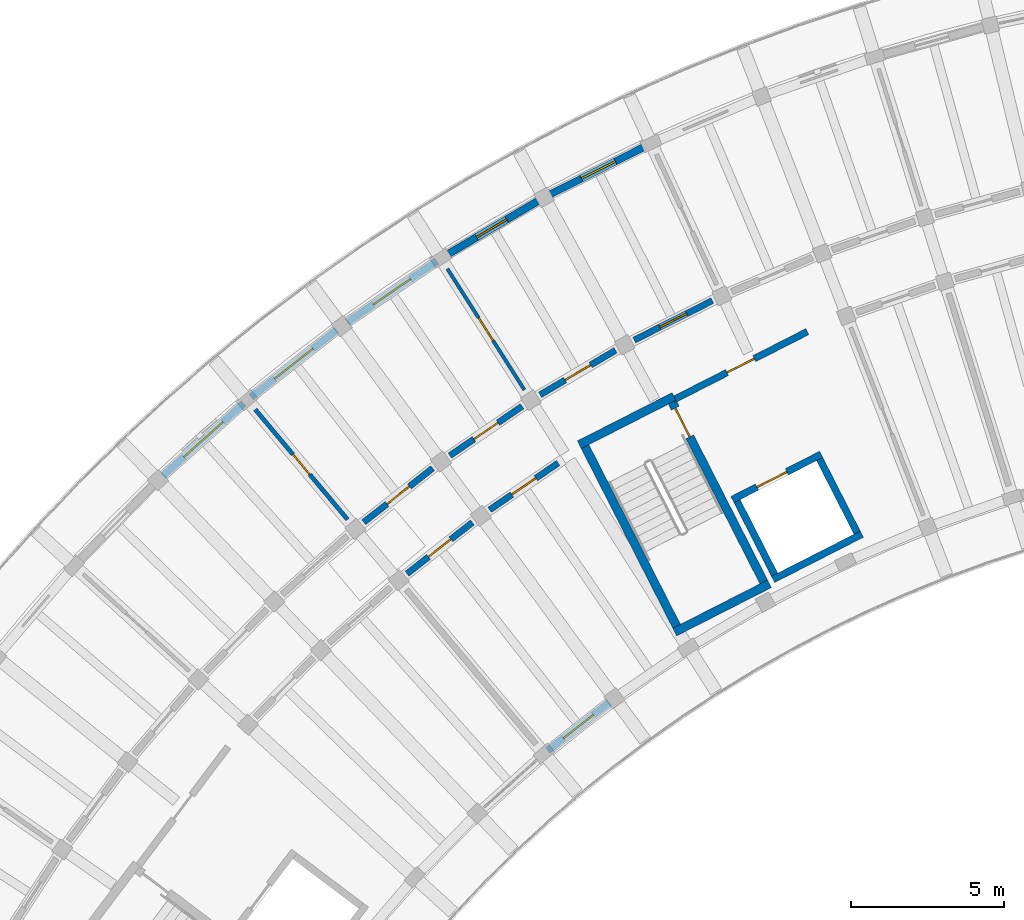
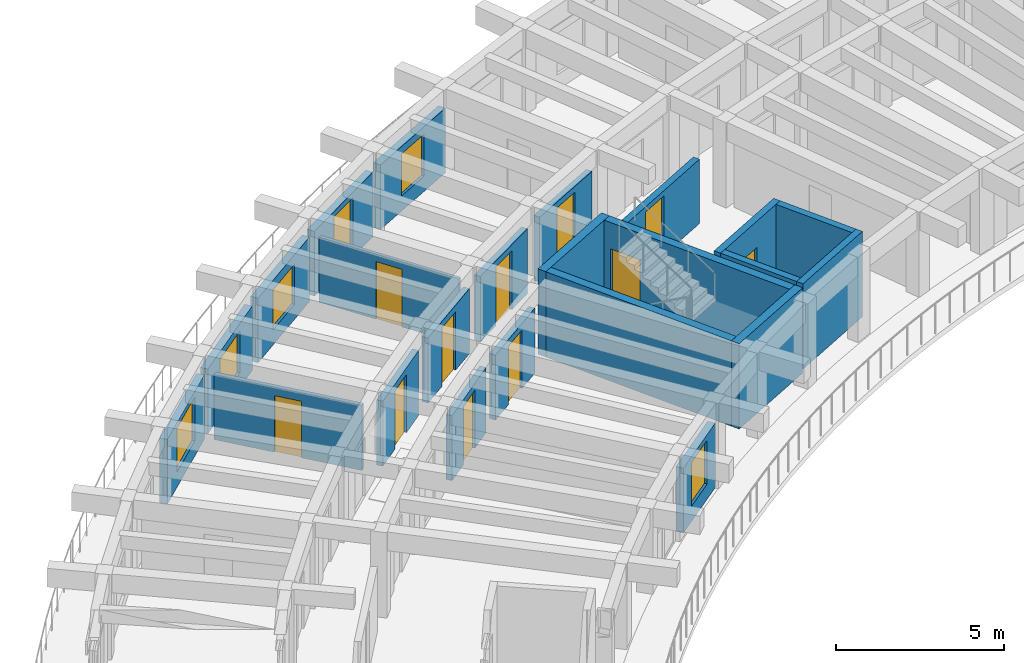
# One storey, part 48 of 83: 23 walls, 12 doors, 5 windows, 17 openings.
"""IFC4 building model written with IfcOpenShell, lengths in metres."""

from ifc_helpers import new_model, si_unit, direction, frame, frame_2d, origin, place, context, subcontext, project, spatial, rectangle, extrude, material, layer, layer_set, type_object, element, fill, save


model = new_model("IFC4")

# Units and contexts
model_context = context("Model", 3, precision=1e-05, world=origin(), true_north=direction((0.0, 1.0)))
body_context = subcontext(model_context, "Body", "Model", "MODEL_VIEW")
ifc_project = project(units=[si_unit("LENGTHUNIT", "METRE"), si_unit("AREAUNIT", "SQUARE_METRE"), si_unit("VOLUMEUNIT", "CUBIC_METRE"), si_unit("PLANEANGLEUNIT", "RADIAN"), si_unit("MASSUNIT", "GRAM", prefix="KILO")], contexts=[model_context])

# Site, building, storey
site_placement = place(None, origin())
site = spatial("IfcSite", under=ifc_project, at=site_placement, CompositionType="ELEMENT")
building_placement = place(site_placement, origin())
building = spatial("IfcBuilding", under=site, at=building_placement, Name="Tanwirah Colonnade Gardens", CompositionType="ELEMENT")
storey_placement = place(building_placement, frame((0.0, 0.0, 25.639892578125)))
storey = spatial("IfcBuildingStorey", under=building, at=storey_placement, Name="L07", CompositionType="ELEMENT", Elevation=25.639892578125)

# Wall, opening, window
ifc_material_1 = material(Name="Limestone architectural precast concrete C40/50", Category="masonry")
ifc_layer_1 = layer(ifc_material_1, 0.2451171875)
ifc_layer_set_1 = layer_set([ifc_layer_1], Name="Limestone architectural precast concrete C40/50")
wall_type_1 = type_object("IfcWallType", Name="EW-PC245", PredefinedType="SOLIDWALL", material=ifc_layer_set_1)
wall_1_placement = place(storey_placement, frame((39.794921875, 114.147216796875, 0.0), z_axis=(0.0, 0.0, 1.0), x_axis=(-0.892768574661, -0.450515562549, 0.0)))
wall_1 = element("IfcWall", 1, at=wall_1_placement, inside=storey, type_object=wall_type_1, Name="Block A L07 OUT Precast Facade Wall 5", PredefinedType="SOLIDWALL", context=body_context, shape_type="SweptSolid", body=[
    extrude(rectangle(XDim=3.545654296875, YDim=0.2451171875, at=frame_2d((1.77294921875, 0.0))), origin(), (0.0, 0.0, 1.0), 2.355224609375),
])
opening_1_placement = place(wall_1_placement, frame((1.15283203125, 0.0, 0.550048828125)))
opening_1 = element("IfcOpeningElement", 2, at=opening_1_placement, cuts=wall_1, Name="Opening WIN-U03", PredefinedType="OPENING", context=body_context, shape_type="SweptSolid", body=[
    extrude(rectangle(XDim=1.239990234375, YDim=1.534912109375, at=frame_2d((0.6201171875, 0.767578125))), frame((0.0, 0.132568359375, 0.0), z_axis=(0.0, -1.0, 0.0), x_axis=(1.0, 0.0, 0.0)), (0.0, 0.0, 1.0), 0.26513671875),
])
ifc_material_2 = material(Name="Thermally broken bronze aluminium and solar low-E double glazing", Category="aluminium")
window_type_1 = type_object("IfcWindowType", Name="WIN-U03", PartitioningType="DOUBLE_PANEL_VERTICAL", PredefinedType="WINDOW", material=ifc_material_2)
window_1_placement = place(opening_1_placement, origin())
window_1 = element("IfcWindow", 3, at=window_1_placement, inside=storey, type_object=window_type_1, Name="Facade window A-L07-OUT-05", OverallHeight=1.534912109375, OverallWidth=1.239990234375, PartitioningType="SINGLE_PANEL", PredefinedType="WINDOW", context=body_context, shape_type="SweptSolid", body=[
    extrude(rectangle(XDim=1.239990234375, YDim=1.534912109375, at=frame_2d((0.6201171875, 0.767578125))), frame((0.0, 0.030029296875, 0.0), z_axis=(0.0, -1.0, 0.0), x_axis=(1.0, 0.0, 0.0)), (0.0, 0.0, 1.0), 0.06005859375),
])
fill(opening_1, window_1)

# Wall, opening, door
wall_2_placement = place(storey_placement, frame((36.24365234375, 112.3388671875, 0.0), z_axis=(0.0, 0.0, 1.0), x_axis=(-0.861152616304, -0.50834650725, 0.0)))
wall_2 = element("IfcWall", 4, at=wall_2_placement, inside=storey, type_object=wall_type_1, Name="Block A L07 OUT Precast Facade Wall 6", PredefinedType="SOLIDWALL", context=body_context, shape_type="SweptSolid", body=[
    extrude(rectangle(XDim=3.5458984375, YDim=0.2451171875, at=frame_2d((1.77294921875, 0.0))), origin(), (0.0, 0.0, 1.0), 2.355224609375),
])
opening_2_placement = place(wall_2_placement, frame((1.202880859375, 0.0, 0.0)))
opening_2 = element("IfcOpeningElement", 5, at=opening_2_placement, cuts=wall_2, Name="Opening L07-ED033", PredefinedType="OPENING", context=body_context, shape_type="SweptSolid", body=[
    extrude(rectangle(XDim=1.139892578125, YDim=2.159912109375, at=frame_2d((0.56982421875, 1.080078125))), frame((0.0, 0.132568359375, 0.0), z_axis=(0.0, -1.0, 0.0), x_axis=(1.0, 0.0, 0.0)), (0.0, 0.0, 1.0), 0.26513671875),
])
ifc_material_3 = material(Name="Bronze aluminium glazed balcony door", Category="aluminium")
door_type_1 = type_object("IfcDoorType", Name="ED-BAL114", OperationType="NOTDEFINED", PredefinedType="DOOR", material=ifc_material_3)
door_1_placement = place(opening_2_placement, origin())
door_1 = element("IfcDoor", 6, at=door_1_placement, inside=storey, type_object=door_type_1, Name="Balcony glazed door L07-ED033", OperationType="SINGLE_SWING_RIGHT", OverallHeight=2.159912109375, OverallWidth=1.139892578125, PredefinedType="DOOR", context=body_context, shape_type="SweptSolid", body=[
    extrude(rectangle(XDim=1.139892578125, YDim=2.159912109375, at=frame_2d((0.56982421875, 1.080078125))), frame((0.0, 0.02490234375, 0.0), z_axis=(0.0, -1.0, 0.0), x_axis=(1.0, 0.0, 0.0)), (0.0, 0.0, 1.0), 0.050048828125),
])
fill(opening_2, door_1)

# Wall, opening, window
wall_3_placement = place(storey_placement, frame((32.92041015625, 110.36474609375, 0.0), z_axis=(0.0, 0.0, 1.0), x_axis=(-0.825779863852, -0.563992567732, 0.0)))
wall_3 = element("IfcWall", 7, at=wall_3_placement, inside=storey, type_object=wall_type_1, Name="Block A L07 OUT Precast Facade Wall 7", PredefinedType="SOLIDWALL", context=body_context, shape_type="SweptSolid", body=[
    extrude(rectangle(XDim=3.545654296875, YDim=0.2451171875, at=frame_2d((1.77294921875, 0.0))), origin(), (0.0, 0.0, 1.0), 2.355224609375),
])
opening_3_placement = place(wall_3_placement, frame((1.03271484375, 0.0, 0.550048828125)))
opening_3 = element("IfcOpeningElement", 8, at=opening_3_placement, cuts=wall_3, Name="Opening WIN-U09", PredefinedType="OPENING", context=body_context, shape_type="SweptSolid", body=[
    extrude(rectangle(XDim=1.47998046875, YDim=1.4599609375, at=frame_2d((0.739990234375, 0.72998046875))), frame((0.0, 0.132568359375, 0.0), z_axis=(0.0, -1.0, 0.0), x_axis=(1.0, 0.0, 0.0)), (0.0, 0.0, 1.0), 0.26513671875),
])
window_type_2 = type_object("IfcWindowType", Name="WIN-U09", PartitioningType="DOUBLE_PANEL_VERTICAL", PredefinedType="WINDOW", material=ifc_material_2)
window_2_placement = place(opening_3_placement, origin())
window_2 = element("IfcWindow", 9, at=window_2_placement, inside=storey, type_object=window_type_2, Name="Facade window A-L07-OUT-07", OverallHeight=1.4599609375, OverallWidth=1.47998046875, PartitioningType="SINGLE_PANEL", PredefinedType="WINDOW", context=body_context, shape_type="SweptSolid", body=[
    extrude(rectangle(XDim=1.47998046875, YDim=1.4599609375, at=frame_2d((0.739990234375, 0.72998046875))), frame((0.0, 0.030029296875, 0.0), z_axis=(0.0, -1.0, 0.0), x_axis=(1.0, 0.0, 0.0)), (0.0, 0.0, 1.0), 0.06005859375),
])
fill(opening_3, window_2)

wall_4_placement = place(storey_placement, frame((29.6376953125, 108.10498046875, 0.0), z_axis=(0.0, 0.0, 1.0), x_axis=(-0.786831781174, -0.617167520317, 0.0)))
wall_4 = element("IfcWall", 10, at=wall_4_placement, inside=storey, type_object=wall_type_1, Name="Block A L07 OUT Precast Facade Wall 8", PredefinedType="SOLIDWALL", context=body_context, shape_type="SweptSolid", body=[
    extrude(rectangle(XDim=3.545654296875, YDim=0.2451171875, at=frame_2d((1.77294921875, 0.0))), origin(), (0.0, 0.0, 1.0), 2.355224609375),
])
opening_4_placement = place(wall_4_placement, frame((0.972900390625, 0.0, 0.550048828125)))
opening_4 = element("IfcOpeningElement", 11, at=opening_4_placement, cuts=wall_4, Name="Opening WIN-U12", PredefinedType="OPENING", context=body_context, shape_type="SweptSolid", body=[
    extrude(rectangle(XDim=1.60009765625, YDim=1.534912109375, at=frame_2d((0.800048828125, 0.767578125))), frame((0.0, 0.132568359375, 0.0), z_axis=(0.0, -1.0, 0.0), x_axis=(1.0, 0.0, 0.0)), (0.0, 0.0, 1.0), 0.26513671875),
])
window_type_3 = type_object("IfcWindowType", Name="WIN-U12", PartitioningType="DOUBLE_PANEL_VERTICAL", PredefinedType="WINDOW", material=ifc_material_2)
window_3_placement = place(opening_4_placement, origin())
window_3 = element("IfcWindow", 12, at=window_3_placement, inside=storey, type_object=window_type_3, Name="Facade window A-L07-OUT-08", OverallHeight=1.534912109375, OverallWidth=1.60009765625, PartitioningType="SINGLE_PANEL", PredefinedType="WINDOW", context=body_context, shape_type="SweptSolid", body=[
    extrude(rectangle(XDim=1.60009765625, YDim=1.534912109375, at=frame_2d((0.800048828125, 0.767578125))), frame((0.0, 0.030029296875, 0.0), z_axis=(0.0, -1.0, 0.0), x_axis=(1.0, 0.0, 0.0)), (0.0, 0.0, 1.0), 0.06005859375),
])
fill(opening_4, window_3)

wall_5_placement = place(storey_placement, frame((38.560546875, 95.92333984375, 0.0), z_axis=(0.0, 0.0, 1.0), x_axis=(-0.786819690147, -0.617182934953, 0.0)))
wall_5 = element("IfcWall", 13, at=wall_5_placement, inside=storey, type_object=wall_type_1, Name="Block A L07 IN Precast Facade Wall 8", PredefinedType="SOLIDWALL", context=body_context, shape_type="SweptSolid", body=[
    extrude(rectangle(XDim=2.55029296875, YDim=0.2451171875, at=frame_2d((1.275146484375, 0.0))), origin(), (0.0, 0.0, 1.0), 2.355224609375),
])
opening_5_placement = place(wall_5_placement, frame((0.650146484375, 0.0, 0.550048828125)))
opening_5 = element("IfcOpeningElement", 14, at=opening_5_placement, cuts=wall_5, Name="Opening WIN-T03", PredefinedType="OPENING", context=body_context, shape_type="SweptSolid", body=[
    extrude(rectangle(XDim=1.25, YDim=1.60009765625, at=frame_2d((0.625, 0.800048828125))), frame((0.0, 0.132568359375, 0.0), z_axis=(0.0, -1.0, 0.0), x_axis=(1.0, 0.0, 0.0)), (0.0, 0.0, 1.0), 0.26513671875),
])
window_type_4 = type_object("IfcWindowType", Name="WIN-T03", PartitioningType="SINGLE_PANEL", PredefinedType="WINDOW", material=ifc_material_2)
window_4_placement = place(opening_5_placement, origin())
window_4 = element("IfcWindow", 15, at=window_4_placement, inside=storey, type_object=window_type_4, Name="Facade window A-L07-IN-08", OverallHeight=1.60009765625, OverallWidth=1.25, PartitioningType="SINGLE_PANEL", PredefinedType="WINDOW", context=body_context, shape_type="SweptSolid", body=[
    extrude(rectangle(XDim=1.25, YDim=1.60009765625, at=frame_2d((0.625, 0.800048828125))), frame((0.0, 0.030029296875, 0.0), z_axis=(0.0, -1.0, 0.0), x_axis=(1.0, 0.0, 0.0)), (0.0, 0.0, 1.0), 0.06005859375),
])
fill(opening_5, window_4)

wall_6_placement = place(storey_placement, frame((26.602783203125, 105.711181640625, 0.0), z_axis=(0.0, 0.0, 1.0), x_axis=(-0.744419541982, -0.667712172658, 0.0)))
wall_6 = element("IfcWall", 16, at=wall_6_placement, inside=storey, type_object=wall_type_1, Name="Block A L07 OUT Precast Facade Wall 9", PredefinedType="SOLIDWALL", context=body_context, shape_type="SweptSolid", body=[
    extrude(rectangle(XDim=3.545654296875, YDim=0.2451171875, at=frame_2d((1.77294921875, 0.0))), origin(), (0.0, 0.0, 1.0), 2.355224609375),
])
opening_6_placement = place(wall_6_placement, frame((0.912841796875, 0.0, 0.550048828125)))
opening_6 = element("IfcOpeningElement", 17, at=opening_6_placement, cuts=wall_6, Name="Opening WIN-U15", PredefinedType="OPENING", context=body_context, shape_type="SweptSolid", body=[
    extrude(rectangle(XDim=1.719970703125, YDim=1.610107421875, at=frame_2d((0.85986328125, 0.80517578125))), frame((0.0, 0.132568359375, 0.0), z_axis=(0.0, -1.0, 0.0), x_axis=(1.0, 0.0, 0.0)), (0.0, 0.0, 1.0), 0.26513671875),
])
window_type_5 = type_object("IfcWindowType", Name="WIN-U15", PartitioningType="DOUBLE_PANEL_VERTICAL", PredefinedType="WINDOW", material=ifc_material_2)
window_5_placement = place(opening_6_placement, origin())
window_5 = element("IfcWindow", 18, at=window_5_placement, inside=storey, type_object=window_type_5, Name="Facade window A-L07-OUT-09", OverallHeight=1.610107421875, OverallWidth=1.719970703125, PartitioningType="SINGLE_PANEL", PredefinedType="WINDOW", context=body_context, shape_type="SweptSolid", body=[
    extrude(rectangle(XDim=1.719970703125, YDim=1.610107421875, at=frame_2d((0.85986328125, 0.80517578125))), frame((0.0, 0.030029296875, 0.0), z_axis=(0.0, -1.0, 0.0), x_axis=(1.0, 0.0, 0.0)), (0.0, 0.0, 1.0), 0.06005859375),
])
fill(opening_6, window_5)

# Wall, opening, door
ifc_material_4 = material(Name="Precast concrete C40/50", Category="concrete")
ifc_layer_2 = layer(ifc_material_4, 0.205078125)
ifc_layer_set_2 = layer_set([ifc_layer_2], Name="Precast concrete C40/50")
wall_type_2 = type_object("IfcWallType", Name="IW-CORR205", PredefinedType="PARTITIONING", material=ifc_layer_set_2)
wall_7_placement = place(storey_placement, frame((41.93994140625, 109.072509765625, 0.0), z_axis=(0.0, 0.0, 1.0), x_axis=(-0.89273239336, -0.450587254419, 0.0)))
wall_7 = element("IfcWall", 19, at=wall_7_placement, inside=storey, type_object=wall_type_2, Name="Block A L07 OUT Corridor Wall 5", PredefinedType="PARTITIONING", context=body_context, shape_type="SweptSolid", body=[
    extrude(rectangle(XDim=2.863037109375, YDim=0.205078125, at=frame_2d((1.431640625, 0.0))), origin(), (0.0, 0.0, 1.0), 2.3701171875),
])
opening_7_placement = place(wall_7_placement, frame((0.9365234375, 0.0, 0.0)))
opening_7 = element("IfcOpeningElement", 20, at=opening_7_placement, cuts=wall_7, Name="Opening L07-AD528", PredefinedType="OPENING", context=body_context, shape_type="SweptSolid", body=[
    extrude(rectangle(XDim=0.989990234375, YDim=2.159912109375, at=frame_2d((0.4951171875, 1.080078125))), frame((0.0, 0.112548828125, 0.0), z_axis=(0.0, -1.0, 0.0), x_axis=(1.0, 0.0, 0.0)), (0.0, 0.0, 1.0), 0.22509765625),
])
ifc_material_5 = material(Name="Solid oak fire-resisting apartment entrance door")
door_type_2 = type_object("IfcDoorType", Name="ID-FLT099", OperationType="NOTDEFINED", PredefinedType="DOOR", material=ifc_material_5)
door_2_placement = place(opening_7_placement, origin())
door_2 = element("IfcDoor", 21, at=door_2_placement, inside=storey, type_object=door_type_2, Name="Apartment corridor door L07-AD528", OperationType="SINGLE_SWING_LEFT", OverallHeight=2.159912109375, OverallWidth=0.989990234375, PredefinedType="DOOR", context=body_context, shape_type="SweptSolid", body=[
    extrude(rectangle(XDim=0.989990234375, YDim=2.159912109375, at=frame_2d((0.4951171875, 1.080078125))), frame((0.0, 0.02490234375, 0.0), z_axis=(0.0, -1.0, 0.0), x_axis=(1.0, 0.0, 0.0)), (0.0, 0.0, 1.0), 0.050048828125),
])
fill(opening_7, door_2)

wall_8_placement = place(storey_placement, frame((38.77001953125, 107.447021484375, 0.0), z_axis=(0.0, 0.0, 1.0), x_axis=(-0.861113214678, -0.508413248753, 0.0)))
wall_8 = element("IfcWall", 22, at=wall_8_placement, inside=storey, type_object=wall_type_2, Name="Block A L07 OUT Corridor Wall 6", PredefinedType="PARTITIONING", context=body_context, shape_type="SweptSolid", body=[
    extrude(rectangle(XDim=2.863037109375, YDim=0.205078125, at=frame_2d((1.431640625, 0.0))), origin(), (0.0, 0.0, 1.0), 2.3701171875),
])
opening_8_placement = place(wall_8_placement, frame((0.946533203125, 0.0, 0.0)))
opening_8 = element("IfcOpeningElement", 23, at=opening_8_placement, cuts=wall_8, Name="Opening L07-AD529", PredefinedType="OPENING", context=body_context, shape_type="SweptSolid", body=[
    extrude(rectangle(XDim=0.969970703125, YDim=2.14990234375, at=frame_2d((0.48486328125, 1.074951171875))), frame((0.0, 0.112548828125, 0.0), z_axis=(0.0, -1.0, 0.0), x_axis=(1.0, 0.0, 0.0)), (0.0, 0.0, 1.0), 0.22509765625),
])
door_type_3 = type_object("IfcDoorType", Name="ID-FLT097", OperationType="NOTDEFINED", PredefinedType="DOOR", material=ifc_material_5)
door_3_placement = place(opening_8_placement, origin())
door_3 = element("IfcDoor", 24, at=door_3_placement, inside=storey, type_object=door_type_3, Name="Apartment corridor door L07-AD529", OperationType="SINGLE_SWING_RIGHT", OverallHeight=2.14990234375, OverallWidth=0.969970703125, PredefinedType="DOOR", context=body_context, shape_type="SweptSolid", body=[
    extrude(rectangle(XDim=0.969970703125, YDim=2.14990234375, at=frame_2d((0.48486328125, 1.074951171875))), frame((0.0, 0.02490234375, 0.0), z_axis=(0.0, -1.0, 0.0), x_axis=(1.0, 0.0, 0.0)), (0.0, 0.0, 1.0), 0.050048828125),
])
fill(opening_8, door_3)

wall_9_placement = place(storey_placement, frame((35.714111328125, 105.615966796875, 0.0), z_axis=(0.0, 0.0, 1.0), x_axis=(-0.825779671787, -0.563992848947, 0.0)))
wall_9 = element("IfcWall", 25, at=wall_9_placement, inside=storey, type_object=wall_type_2, Name="Block A L07 OUT Corridor Wall 7", PredefinedType="PARTITIONING", context=body_context, shape_type="SweptSolid", body=[
    extrude(rectangle(XDim=2.863037109375, YDim=0.205078125, at=frame_2d((1.431640625, 0.0))), origin(), (0.0, 0.0, 1.0), 2.3701171875),
])
opening_9_placement = place(wall_9_placement, frame((0.95654296875, 0.0, 0.0)))
opening_9 = element("IfcOpeningElement", 26, at=opening_9_placement, cuts=wall_9, Name="Opening L07-AD531", PredefinedType="OPENING", context=body_context, shape_type="SweptSolid", body=[
    extrude(rectangle(XDim=0.949951171875, YDim=2.1298828125, at=frame_2d((0.47509765625, 1.06494140625))), frame((0.0, 0.112548828125, 0.0), z_axis=(0.0, -1.0, 0.0), x_axis=(1.0, 0.0, 0.0)), (0.0, 0.0, 1.0), 0.22509765625),
])
door_type_4 = type_object("IfcDoorType", Name="ID-FLT095", OperationType="NOTDEFINED", PredefinedType="DOOR", material=ifc_material_5)
door_4_placement = place(opening_9_placement, origin())
door_4 = element("IfcDoor", 27, at=door_4_placement, inside=storey, type_object=door_type_4, Name="Apartment corridor door L07-AD531", OperationType="SINGLE_SWING_LEFT", OverallHeight=2.1298828125, OverallWidth=0.949951171875, PredefinedType="DOOR", context=body_context, shape_type="SweptSolid", body=[
    extrude(rectangle(XDim=0.949951171875, YDim=2.1298828125, at=frame_2d((0.47509765625, 1.06494140625))), frame((0.0, 0.02490234375, 0.0), z_axis=(0.0, -1.0, 0.0), x_axis=(1.0, 0.0, 0.0)), (0.0, 0.0, 1.0), 0.050048828125),
])
fill(opening_9, door_4)

wall_10_placement = place(storey_placement, frame((36.89453125, 103.759521484375, 0.0), z_axis=(0.0, 0.0, 1.0), x_axis=(-0.825752009056, -0.56403334967, 0.0)))
wall_10 = element("IfcWall", 28, at=wall_10_placement, inside=storey, type_object=wall_type_2, Name="Block A L07 IN Corridor Wall 7", PredefinedType="PARTITIONING", context=body_context, shape_type="SweptSolid", body=[
    extrude(rectangle(XDim=2.71826171875, YDim=0.205078125, at=frame_2d((1.359130859375, 0.0))), origin(), (0.0, 0.0, 1.0), 2.3701171875),
])
opening_10_placement = place(wall_10_placement, frame((0.884033203125, 0.0, 0.0)))
opening_10 = element("IfcOpeningElement", 29, at=opening_10_placement, cuts=wall_10, Name="Opening L07-AD532", PredefinedType="OPENING", context=body_context, shape_type="SweptSolid", body=[
    extrude(rectangle(XDim=0.949951171875, YDim=2.1298828125, at=frame_2d((0.47509765625, 1.06494140625))), frame((0.0, 0.112548828125, 0.0), z_axis=(0.0, -1.0, 0.0), x_axis=(1.0, 0.0, 0.0)), (0.0, 0.0, 1.0), 0.22509765625),
])
door_5_placement = place(opening_10_placement, origin())
door_5 = element("IfcDoor", 30, at=door_5_placement, inside=storey, type_object=door_type_4, Name="Apartment corridor door L07-AD532", OperationType="SINGLE_SWING_RIGHT", OverallHeight=2.1298828125, OverallWidth=0.949951171875, PredefinedType="DOOR", context=body_context, shape_type="SweptSolid", body=[
    extrude(rectangle(XDim=0.949951171875, YDim=2.1298828125, at=frame_2d((0.47509765625, 1.06494140625))), frame((0.0, 0.02490234375, 0.0), z_axis=(0.0, -1.0, 0.0), x_axis=(1.0, 0.0, 0.0)), (0.0, 0.0, 1.0), 0.050048828125),
])
fill(opening_10, door_5)

wall_11_placement = place(storey_placement, frame((32.785400390625, 103.587890625, 0.0), z_axis=(0.0, 0.0, 1.0), x_axis=(-0.786806323554, -0.617199975061, 0.0)))
wall_11 = element("IfcWall", 31, at=wall_11_placement, inside=storey, type_object=wall_type_2, Name="Block A L07 OUT Corridor Wall 8", PredefinedType="PARTITIONING", context=body_context, shape_type="SweptSolid", body=[
    extrude(rectangle(XDim=2.863037109375, YDim=0.205078125, at=frame_2d((1.431640625, 0.0))), origin(), (0.0, 0.0, 1.0), 2.3701171875),
])
opening_11_placement = place(wall_11_placement, frame((0.966552734375, 0.0, 0.0)))
opening_11 = element("IfcOpeningElement", 32, at=opening_11_placement, cuts=wall_11, Name="Opening L07-AD533", PredefinedType="OPENING", context=body_context, shape_type="SweptSolid", body=[
    extrude(rectangle(XDim=0.929931640625, YDim=2.1201171875, at=frame_2d((0.46484375, 1.06005859375))), frame((0.0, 0.112548828125, 0.0), z_axis=(0.0, -1.0, 0.0), x_axis=(1.0, 0.0, 0.0)), (0.0, 0.0, 1.0), 0.22509765625),
])
door_type_5 = type_object("IfcDoorType", Name="ID-FLT093", OperationType="NOTDEFINED", PredefinedType="DOOR", material=ifc_material_5)
door_6_placement = place(opening_11_placement, origin())
door_6 = element("IfcDoor", 33, at=door_6_placement, inside=storey, type_object=door_type_5, Name="Apartment corridor door L07-AD533", OperationType="SINGLE_SWING_RIGHT", OverallHeight=2.1201171875, OverallWidth=0.929931640625, PredefinedType="DOOR", context=body_context, shape_type="SweptSolid", body=[
    extrude(rectangle(XDim=0.929931640625, YDim=2.1201171875, at=frame_2d((0.46484375, 1.06005859375))), frame((0.0, 0.02490234375, 0.0), z_axis=(0.0, -1.0, 0.0), x_axis=(1.0, 0.0, 0.0)), (0.0, 0.0, 1.0), 0.050048828125),
])
fill(opening_11, door_6)

wall_12_placement = place(storey_placement, frame((34.08544921875, 101.81298828125, 0.0), z_axis=(0.0, 0.0, 1.0), x_axis=(-0.786835457019, -0.617162833924, 0.0)))
wall_12 = element("IfcWall", 34, at=wall_12_placement, inside=storey, type_object=wall_type_2, Name="Block A L07 IN Corridor Wall 8", PredefinedType="PARTITIONING", context=body_context, shape_type="SweptSolid", body=[
    extrude(rectangle(XDim=2.718017578125, YDim=0.205078125, at=frame_2d((1.35888671875, 0.0))), origin(), (0.0, 0.0, 1.0), 2.3701171875),
])
opening_12_placement = place(wall_12_placement, frame((0.89404296875, 0.0, 0.0)))
opening_12 = element("IfcOpeningElement", 35, at=opening_12_placement, cuts=wall_12, Name="Opening L07-AD534", PredefinedType="OPENING", context=body_context, shape_type="SweptSolid", body=[
    extrude(rectangle(XDim=0.929931640625, YDim=2.1201171875, at=frame_2d((0.46484375, 1.06005859375))), frame((0.0, 0.112548828125, 0.0), z_axis=(0.0, -1.0, 0.0), x_axis=(1.0, 0.0, 0.0)), (0.0, 0.0, 1.0), 0.22509765625),
])
door_7_placement = place(opening_12_placement, origin())
door_7 = element("IfcDoor", 36, at=door_7_placement, inside=storey, type_object=door_type_5, Name="Apartment corridor door L07-AD534", OperationType="SINGLE_SWING_LEFT", OverallHeight=2.1201171875, OverallWidth=0.929931640625, PredefinedType="DOOR", context=body_context, shape_type="SweptSolid", body=[
    extrude(rectangle(XDim=0.929931640625, YDim=2.1201171875, at=frame_2d((0.46484375, 1.06005859375))), frame((0.0, 0.02490234375, 0.0), z_axis=(0.0, -1.0, 0.0), x_axis=(1.0, 0.0, 0.0)), (0.0, 0.0, 1.0), 0.050048828125),
])
fill(opening_12, door_7)

ifc_material_6 = material(Name="Autoclaved aerated masonry blockwork", Category="masonry")
ifc_layer_3 = layer(ifc_material_6, 0.219970703125)
ifc_layer_set_3 = layer_set([ifc_layer_3], Name="Autoclaved aerated masonry blockwork")
wall_type_3 = type_object("IfcWallType", Name="IW-FFL220", PredefinedType="PARTITIONING", material=ifc_layer_set_3)
wall_13_placement = place(storey_placement, frame((40.68212890625, 105.833740234375, 0.0), z_axis=(0.0, 0.0, 1.0), x_axis=(0.891003372311, 0.453996685595, 0.0)))
wall_13 = element("IfcWall", 37, at=wall_13_placement, inside=storey, type_object=wall_type_3, Name="CORE-A1 L07 Enclosed Lobby Fire Wall", PredefinedType="PARTITIONING", context=body_context, shape_type="SweptSolid", body=[
    extrude(rectangle(XDim=4.900146484375, YDim=0.219970703125, at=frame_2d((2.4501953125, 0.0))), origin(), (0.0, 0.0, 1.0), 2.340087890625),
])
opening_13_placement = place(wall_13_placement, frame((1.949951171875, 0.0, 0.0)))
opening_13 = element("IfcOpeningElement", 38, at=opening_13_placement, cuts=wall_13, Name="Opening L07-LD025", PredefinedType="OPENING", context=body_context, shape_type="SweptSolid", body=[
    extrude(rectangle(XDim=1.0, YDim=2.14990234375, at=frame_2d((0.5, 1.074951171875))), frame((0.0, 0.119873046875, 0.0), z_axis=(0.0, -1.0, 0.0), x_axis=(1.0, 0.0, 0.0)), (0.0, 0.0, 1.0), 0.239990234375),
])
ifc_material_7 = material(Name="Acoustic fire-resisting lobby door")
door_type_6 = type_object("IfcDoorType", Name="ID-FFL100", OperationType="NOTDEFINED", PredefinedType="DOOR", material=ifc_material_7)
door_8_placement = place(opening_13_placement, origin())
door_8 = element("IfcDoor", 39, at=door_8_placement, inside=storey, type_object=door_type_6, Name="CORE-A1 L07 Lobby Fire Door L07-LD025", OperationType="SINGLE_SWING_RIGHT", OverallHeight=2.14990234375, OverallWidth=1.0, PredefinedType="DOOR", context=body_context, shape_type="SweptSolid", body=[
    extrude(rectangle(XDim=1.0, YDim=2.14990234375, at=frame_2d((0.5, 1.074951171875))), frame((0.0, 0.02490234375, 0.0), z_axis=(0.0, -1.0, 0.0), x_axis=(1.0, 0.0, 0.0)), (0.0, 0.0, 1.0), 0.050048828125),
])
fill(opening_13, door_8)

ifc_material_8 = material(Name="Acoustic gypsum stud partition")
ifc_layer_4 = layer(ifc_material_8, 0.114990234375)
ifc_layer_set_4 = layer_set([ifc_layer_4], Name="Acoustic gypsum stud partition")
wall_type_4 = type_object("IfcWallType", Name="IW-INT115", PredefinedType="PARTITIONING", material=ifc_layer_set_4)
wall_14_placement = place(storey_placement, frame((35.78857421875, 106.151123046875, 0.0), z_axis=(0.0, 0.0, 1.0), x_axis=(-0.536492262982, 0.843905238614, 0.0)))
wall_14 = element("IfcWall", 40, at=wall_14_placement, inside=storey, type_object=wall_type_4, Name="Block A L07 Radial Partition 6", PredefinedType="PARTITIONING", context=body_context, shape_type="SweptSolid", body=[
    extrude(rectangle(XDim=4.699951171875, YDim=0.114990234375, at=frame_2d((2.35009765625, 0.0))), origin(), (0.0, 0.0, 1.0), 2.3701171875),
])
opening_14_placement = place(wall_14_placement, frame((1.905029296875, 0.0, 0.0)))
opening_14 = element("IfcOpeningElement", 41, at=opening_14_placement, cuts=wall_14, Name="Opening L07-RD530", PredefinedType="OPENING", context=body_context, shape_type="SweptSolid", body=[
    extrude(rectangle(XDim=0.889892578125, YDim=2.10009765625, at=frame_2d((0.44482421875, 1.050048828125))), frame((0.0, 0.0673828125, 0.0), z_axis=(0.0, -1.0, 0.0), x_axis=(1.0, 0.0, 0.0)), (0.0, 0.0, 1.0), 0.135009765625),
])
ifc_material_9 = material(Name="Painted hardwood bedroom door", Category="wood")
door_type_7 = type_object("IfcDoorType", Name="ID-RM089", OperationType="NOTDEFINED", PredefinedType="DOOR", material=ifc_material_9)
door_9_placement = place(opening_14_placement, origin())
door_9 = element("IfcDoor", 42, at=door_9_placement, inside=storey, type_object=door_type_7, Name="Internal apartment door L07-RD530", OperationType="SINGLE_SWING_RIGHT", OverallHeight=2.10009765625, OverallWidth=0.889892578125, PredefinedType="DOOR", context=body_context, shape_type="SweptSolid", body=[
    extrude(rectangle(XDim=0.889892578125, YDim=2.10009765625, at=frame_2d((0.44482421875, 1.050048828125))), frame((0.0, 0.02490234375, 0.0), z_axis=(0.0, -1.0, 0.0), x_axis=(1.0, 0.0, 0.0)), (0.0, 0.0, 1.0), 0.050048828125),
])
fill(opening_14, door_9)

ifc_material_10 = material(Name="Water-resistant acoustic plumbing partition")
ifc_layer_5 = layer(ifc_material_10, 0.139892578125)
ifc_layer_set_5 = layer_set([ifc_layer_5], Name="Water-resistant acoustic plumbing partition")
wall_type_5 = type_object("IfcWallType", Name="IW-WET140", PredefinedType="PLUMBINGWALL", material=ifc_layer_set_5)
wall_15_placement = place(storey_placement, frame((30.000244140625, 101.9111328125, 0.0), z_axis=(0.0, 0.0, 1.0), x_axis=(-0.642811926223, 0.766024038465, 0.0)))
wall_15 = element("IfcWall", 43, at=wall_15_placement, inside=storey, type_object=wall_type_5, Name="Block A L07 Radial Partition 8", PredefinedType="PLUMBINGWALL", context=body_context, shape_type="SweptSolid", body=[
    extrude(rectangle(XDim=4.699951171875, YDim=0.139892578125, at=frame_2d((2.35009765625, 0.0))), origin(), (0.0, 0.0, 1.0), 2.3701171875),
])
opening_15_placement = place(wall_15_placement, frame((1.919921875, 0.0, 0.0)))
opening_15 = element("IfcOpeningElement", 44, at=opening_15_placement, cuts=wall_15, Name="Opening L07-RD535", PredefinedType="OPENING", context=body_context, shape_type="SweptSolid", body=[
    extrude(rectangle(XDim=0.860107421875, YDim=2.06005859375, at=frame_2d((0.43017578125, 1.030029296875))), frame((0.0, 0.079833984375, 0.0), z_axis=(0.0, -1.0, 0.0), x_axis=(1.0, 0.0, 0.0)), (0.0, 0.0, 1.0), 0.159912109375),
])
ifc_material_11 = material(Name="Moisture-resistant bathroom door")
door_type_8 = type_object("IfcDoorType", Name="ID-WET086", OperationType="NOTDEFINED", PredefinedType="DOOR", material=ifc_material_11)
door_10_placement = place(opening_15_placement, origin())
door_10 = element("IfcDoor", 45, at=door_10_placement, inside=storey, type_object=door_type_8, Name="Internal apartment door L07-RD535", OperationType="SINGLE_SWING_RIGHT", OverallHeight=2.06005859375, OverallWidth=0.860107421875, PredefinedType="DOOR", context=body_context, shape_type="SweptSolid", body=[
    extrude(rectangle(XDim=0.860107421875, YDim=2.06005859375, at=frame_2d((0.43017578125, 1.030029296875))), frame((0.0, 0.02490234375, 0.0), z_axis=(0.0, -1.0, 0.0), x_axis=(1.0, 0.0, 0.0)), (0.0, 0.0, 1.0), 0.050048828125),
])
fill(opening_15, door_10)

# Walls
ifc_material_12 = material(Name="Concrete C45/55", Category="concrete")
ifc_layer_6 = layer(ifc_material_12, 0.280029296875)
ifc_layer_set_6 = layer_set([ifc_layer_6], Name="Concrete C45/55")
wall_type_6 = type_object("IfcWallType", Name="SW-CORE280", PredefinedType="SHEAR", material=ifc_layer_set_6)
wall_16_placement = place(storey_placement, frame((37.7734375, 104.295654296875, 0.0), z_axis=(0.0, 0.0, 1.0), x_axis=(0.453992276384, -0.891005618941, 0.0)))
element("IfcWall", 46, at=wall_16_placement, inside=storey, type_object=wall_type_6, Name="CORE-A1 L07 Stair Shaft Shear Wall LEFT", PredefinedType="SHEAR", context=body_context, shape_type="SweptSolid", body=[
    extrude(rectangle(XDim=6.599853515625, YDim=0.280029296875, at=frame_2d((3.2998046875, 0.0))), origin(), (0.0, 0.0, 1.0), 3.110107421875),
])
for number, where, z_axis, x_axis, name in (
    (47, (40.708740234375, 98.2265625, 0.0), (0.0, 0.0, 1.0), (0.891005763861, 0.453991991964, 0.0), "CORE-A1 L07 Stair Shaft Shear Wall FAR"),
    (48, (37.585205078125, 104.356689453125, 0.0), (0.0, 0.0, 1.0), (0.891020222667, 0.453963613958, 0.0), "CORE-A1 L07 Stair Shaft Shear Wall NEAR"),
):
    element("IfcWall", number, at=place(storey_placement, frame(where, z_axis=z_axis, x_axis=x_axis)), inside=storey, type_object=wall_type_6, Name=name, PredefinedType="SHEAR", context=body_context, shape_type="SweptSolid", body=[
        extrude(rectangle(XDim=3.47998046875, YDim=0.280029296875, at=frame_2d((1.739990234375, 0.0))), origin(), (0.0, 0.0, 1.0), 3.110107421875),
    ])

# Wall, opening, door
wall_17_placement = place(storey_placement, frame((40.624755859375, 105.748291015625, 0.0), z_axis=(0.0, 0.0, 1.0), x_axis=(0.453992276384, -0.891005618941, 0.0)))
wall_17 = element("IfcWall", 49, at=wall_17_placement, inside=storey, type_object=wall_type_6, Name="CORE-A1 L07 Stair Shaft Shear Wall RIGHT", PredefinedType="SHEAR", context=body_context, shape_type="SweptSolid", body=[
    extrude(rectangle(XDim=6.599853515625, YDim=0.280029296875, at=frame_2d((3.2998046875, 0.0))), origin(), (0.0, 0.0, 1.0), 3.110107421875),
])
opening_16_placement = place(wall_17_placement, frame((0.219970703125, 0.0, 0.0)))
opening_16 = element("IfcOpeningElement", 50, at=opening_16_placement, cuts=wall_17, Name="Opening L07-SD009", PredefinedType="OPENING", context=body_context, shape_type="SweptSolid", body=[
    extrude(rectangle(XDim=1.050048828125, YDim=2.14990234375, at=frame_2d((0.52490234375, 1.074951171875))), frame((0.0, 0.14990234375, 0.0), z_axis=(0.0, -1.0, 0.0), x_axis=(1.0, 0.0, 0.0)), (0.0, 0.0, 1.0), 0.300048828125),
])
ifc_material_13 = material(Name="Steel fire-resisting stair enclosure door", Category="steel")
door_type_9 = type_object("IfcDoorType", Name="ID-ST105", OperationType="NOTDEFINED", PredefinedType="DOOR", material=ifc_material_13)
door_11_placement = place(opening_16_placement, origin())
door_11 = element("IfcDoor", 51, at=door_11_placement, inside=storey, type_object=door_type_9, Name="CORE-A1 L07 Stair Fire Door L07-SD009", OperationType="SINGLE_SWING_RIGHT", OverallHeight=2.14990234375, OverallWidth=1.050048828125, PredefinedType="DOOR", context=body_context, shape_type="SweptSolid", body=[
    extrude(rectangle(XDim=1.050048828125, YDim=2.14990234375, at=frame_2d((0.52490234375, 1.074951171875))), frame((0.0, 0.02490234375, 0.0), z_axis=(0.0, -1.0, 0.0), x_axis=(1.0, 0.0, 0.0)), (0.0, 0.0, 1.0), 0.050048828125),
])
fill(opening_16, door_11)

ifc_layer_7 = layer(ifc_material_12, 0.22998046875)
ifc_layer_set_7 = layer_set([ifc_layer_7], Name="Concrete C45/55")
wall_type_7 = type_object("IfcWallType", Name="SW-LIFT230", PredefinedType="SHEAR", material=ifc_layer_set_7)
wall_18_placement = place(storey_placement, frame((42.5966796875, 102.561279296875, 0.0), z_axis=(0.0, 0.0, 1.0), x_axis=(0.891001200497, 0.454000947921, 0.0)))
wall_18 = element("IfcWall", 52, at=wall_18_placement, inside=storey, type_object=wall_type_7, Name="CORE-A1 L07 Lift Shaft Wall FRONT", PredefinedType="SHEAR", context=body_context, shape_type="SweptSolid", body=[
    extrude(rectangle(XDim=3.259765625, YDim=0.22998046875, at=frame_2d((1.6298828125, 0.0))), origin(), (0.0, 0.0, 1.0), 3.110107421875),
])
opening_17_placement = place(wall_18_placement, frame((0.89990234375, 0.0, 0.0)))
opening_17 = element("IfcOpeningElement", 53, at=opening_17_placement, cuts=wall_18, Name="Opening L07-LD-FL-A1", PredefinedType="OPENING", context=body_context, shape_type="SweptSolid", body=[
    extrude(rectangle(XDim=1.10009765625, YDim=2.14990234375, at=frame_2d((0.550048828125, 1.074951171875))), frame((0.0, 0.125, 0.0), z_axis=(0.0, -1.0, 0.0), x_axis=(1.0, 0.0, 0.0)), (0.0, 0.0, 1.0), 0.25),
])
ifc_material_14 = material(Name="Stainless steel sliding fire lift landing door", Category="steel")
door_type_10 = type_object("IfcDoorType", Name="LD-FF11", OperationType="DOUBLE_DOOR_SLIDING", PredefinedType="DOOR", material=ifc_material_14)
door_12_placement = place(opening_17_placement, origin())
door_12 = element("IfcDoor", 54, at=door_12_placement, inside=storey, type_object=door_type_10, Name="Lift FL-A1 L07 Sliding Landing Door", OperationType="DOUBLE_DOOR_SLIDING", OverallHeight=2.14990234375, OverallWidth=1.10009765625, PredefinedType="DOOR", context=body_context, shape_type="SweptSolid", body=[
    extrude(rectangle(XDim=1.10009765625, YDim=2.14990234375, at=frame_2d((0.550048828125, 1.074951171875))), frame((0.0, 0.02490234375, 0.0), z_axis=(0.0, -1.0, 0.0), x_axis=(1.0, 0.0, 0.0)), (0.0, 0.0, 1.0), 0.050048828125),
])
fill(opening_17, door_12)

# Walls
wall_19_placement = place(storey_placement, frame((43.9267578125, 99.950439453125, 0.0), z_axis=(0.0, 0.0, 1.0), x_axis=(0.891016635648, 0.453970654337, 0.0)))
element("IfcWall", 55, at=wall_19_placement, inside=storey, type_object=wall_type_7, Name="CORE-A1 L07 Lift Shaft Wall BACK", PredefinedType="SHEAR", context=body_context, shape_type="SweptSolid", body=[
    extrude(rectangle(XDim=3.260009765625, YDim=0.22998046875, at=frame_2d((1.6298828125, 0.0))), origin(), (0.0, 0.0, 1.0), 3.110107421875),
])
for number, where, z_axis, x_axis, name in (
    (56, (42.751220703125, 102.510986328125, 0.0), (0.0, 0.0, 1.0), (0.454000278178, -0.891001541758, 0.0), "CORE-A1 L07 Lift Shaft Wall SIDEA"),
    (57, (45.450927734375, 103.886474609375, 0.0), (0.0, 0.0, 1.0), (0.454000278178, -0.891001541758, 0.0), "CORE-A1 L07 Lift Shaft Wall SIDEB"),
):
    element("IfcWall", number, at=place(storey_placement, frame(where, z_axis=z_axis, x_axis=x_axis)), inside=storey, type_object=wall_type_7, Name=name, PredefinedType="SHEAR", context=body_context, shape_type="SweptSolid", body=[
        extrude(rectangle(XDim=2.699951171875, YDim=0.22998046875, at=frame_2d((1.35009765625, 0.0))), origin(), (0.0, 0.0, 1.0), 3.110107421875),
    ])

save(model, "model.ifc")
